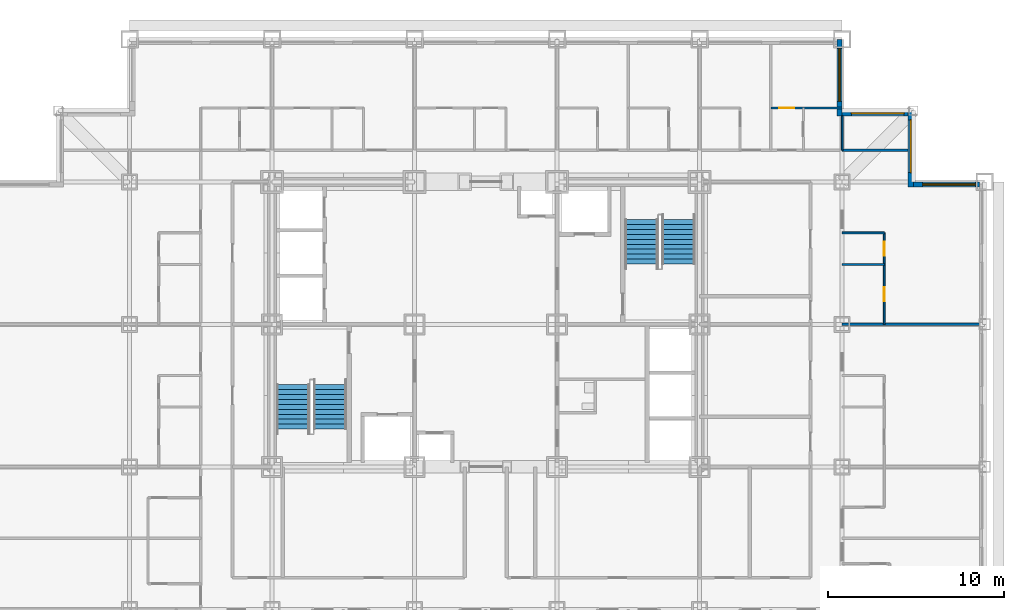
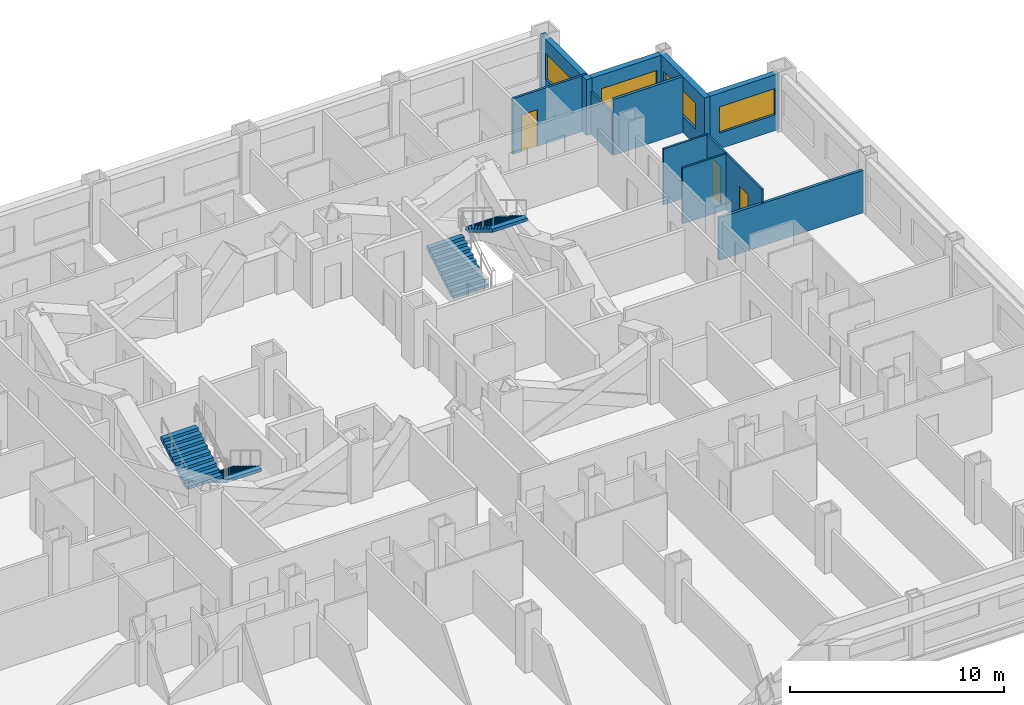
# One storey, part 10 of 12: 11 walls, 4 stair flights, 4 windows, 3 doors, 7 openings, 2 elements without a shape of their own.
"""IFC4 building model written with IfcOpenShell, lengths in metres."""

from ifc_helpers import new_model, si_unit, direction, frame, frame_2d, origin, place, context, subcontext, project, spatial, rectangle, extrude, polygons, source, transform, mapped, material, layer, layer_set, type_object, element, fill, aggregate, save


model = new_model("IFC4")

# Units and contexts
model_context = context("Model", 3, precision=1e-05, world=origin(), true_north=direction((0.0, 1.0)))
body_context = subcontext(model_context, "Body", "Model", "MODEL_VIEW")
ifc_project = project(units=[si_unit("LENGTHUNIT", "METRE"), si_unit("AREAUNIT", "SQUARE_METRE"), si_unit("VOLUMEUNIT", "CUBIC_METRE"), si_unit("PLANEANGLEUNIT", "RADIAN"), si_unit("MASSUNIT", "GRAM", prefix="KILO")], contexts=[model_context])

# Site, building, storey
site_placement = place(None, origin())
site = spatial("IfcSite", under=ifc_project, at=site_placement, CompositionType="ELEMENT")
building_placement = place(site_placement, origin())
building = spatial("IfcBuilding", under=site, at=building_placement, Name="Kopane Lantern Tower", CompositionType="ELEMENT")
storey_placement = place(building_placement, frame((0.0, 0.0, 77.199951171875)))
storey = spatial("IfcBuildingStorey", under=building, at=storey_placement, Name="L19", CompositionType="ELEMENT", Elevation=77.199951171875)

# Wall, opening, door
ifc_material_1 = material(Name="Gypsum board on steel studs", Category="steel")
ifc_layer_1 = layer(ifc_material_1, 0.1201171875)
ifc_layer_set_1 = layer_set([ifc_layer_1], Name="APARTMENT INTERNAL WALL 120")
wall_type_1 = type_object("IfcWallType", Name="APARTMENT INTERNAL WALL 120", PredefinedType="PARTITIONING", material=ifc_layer_set_1)
wall_1_placement = place(storey_placement, frame((44.550048828125, 44.699951171875, 0.0), z_axis=(0.0, 0.0, 1.0), x_axis=(1.0, 0.0, 0.0)))
wall_1 = element("IfcWall", 1, at=wall_1_placement, inside=storey, type_object=wall_type_1, Name="Apartment Internal Wall 120 L19", PredefinedType="PARTITIONING", context=body_context, shape_type="SweptSolid", body=[
    extrude(rectangle(XDim=4.050048828125, YDim=0.1201171875, at=frame_2d((2.02490234375, 0.0))), origin(), (0.0, 0.0, 1.0), 3.18994140625),
])
opening_1_placement = place(wall_1_placement, frame((0.47509765625, 0.0, 0.0)))
opening_1 = element("IfcOpeningElement", 2, at=opening_1_placement, cuts=wall_1, Name="Opening L19-069", PredefinedType="OPENING", context=body_context, shape_type="SweptSolid", body=[
    extrude(rectangle(XDim=0.85009765625, YDim=2.10009765625, at=frame_2d((0.425048828125, 1.050048828125))), frame((0.0, 0.070068359375, 0.0), z_axis=(0.0, -1.0, 0.0), x_axis=(1.0, 0.0, 0.0)), (0.0, 0.0, 1.0), 0.14013671875),
])
ifc_material_2 = material(Name="Timber door set", Category="wood")
door_type_1 = type_object("IfcDoorType", Name="DOOR D4 850x2100", OperationType="SINGLE_SWING_LEFT", PredefinedType="DOOR", material=ifc_material_2)
door_1_placement = place(opening_1_placement, origin())
door_1 = element("IfcDoor", 3, at=door_1_placement, inside=storey, type_object=door_type_1, Name="Door L19-069", OperationType="SINGLE_SWING_LEFT", OverallHeight=2.10009765625, OverallWidth=0.85009765625, PredefinedType="DOOR", context=body_context, shape_type="SweptSolid", body=[
    extrude(rectangle(XDim=0.85009765625, YDim=2.10009765625, at=frame_2d((0.425048828125, 1.050048828125))), frame((0.0, 0.02490234375, 0.0), z_axis=(0.0, -1.0, 0.0), x_axis=(1.0, 0.0, 0.0)), (0.0, 0.0, 1.0), 0.050048828125),
])
fill(opening_1, door_1)

# Wall, openings, doors
ifc_material_3 = material(Name="Moisture-resistant board on steel studs", Category="steel")
ifc_layer_2 = layer(ifc_material_3, 0.10009765625)
ifc_layer_set_2 = layer_set([ifc_layer_2], Name="BATHROOM WALL 100")
wall_type_2 = type_object("IfcWallType", Name="BATHROOM WALL 100", PredefinedType="PARTITIONING", material=ifc_layer_set_2)
wall_2_placement = place(storey_placement, frame((51.0, 32.39990234375, 0.0), z_axis=(0.0, 0.0, 1.0), x_axis=(0.0, 1.0, 0.0)))
wall_2 = element("IfcWall", 4, at=wall_2_placement, inside=storey, type_object=wall_type_2, Name="Bathroom Wall 100 L19", PredefinedType="PARTITIONING", context=body_context, shape_type="SweptSolid", body=[
    extrude(rectangle(XDim=5.2001953125, YDim=0.10009765625, at=frame_2d((2.60009765625, 0.0))), origin(), (0.0, 0.0, 1.0), 3.18994140625),
])
opening_2_placement = place(wall_2_placement, frame((1.300048828125, 0.0, 0.0)))
opening_2 = element("IfcOpeningElement", 5, at=opening_2_placement, cuts=wall_2, Name="Opening L19-056", PredefinedType="OPENING", context=body_context, shape_type="SweptSolid", body=[
    extrude(rectangle(XDim=0.800048828125, YDim=2.10009765625, at=frame_2d((0.39990234375, 1.050048828125))), frame((0.0, 0.06005859375, 0.0), z_axis=(0.0, -1.0, 0.0), x_axis=(1.0, 0.0, 0.0)), (0.0, 0.0, 1.0), 0.1201171875),
])
opening_3_placement = place(wall_2_placement, frame((3.89990234375, 0.0, 0.0)))
opening_3 = element("IfcOpeningElement", 6, at=opening_3_placement, cuts=wall_2, Name="Opening L19-057", PredefinedType="OPENING", context=body_context, shape_type="SweptSolid", body=[
    extrude(rectangle(XDim=0.800048828125, YDim=2.10009765625, at=frame_2d((0.39990234375, 1.050048828125))), frame((0.0, 0.06005859375, 0.0), z_axis=(0.0, -1.0, 0.0), x_axis=(1.0, 0.0, 0.0)), (0.0, 0.0, 1.0), 0.1201171875),
])
ifc_material_4 = material(Name="Timber door set", Category="wood")
door_type_2 = type_object("IfcDoorType", Name="DOOR D2 800x2100", OperationType="SINGLE_SWING_LEFT", PredefinedType="DOOR", material=ifc_material_4)
door_2_placement = place(opening_2_placement, origin())
door_2 = element("IfcDoor", 7, at=door_2_placement, inside=storey, type_object=door_type_2, Name="Door L19-056", OperationType="SINGLE_SWING_RIGHT", OverallHeight=2.10009765625, OverallWidth=0.800048828125, PredefinedType="DOOR", context=body_context, shape_type="SweptSolid", body=[
    extrude(rectangle(XDim=0.800048828125, YDim=2.10009765625, at=frame_2d((0.39990234375, 1.050048828125))), frame((0.0, 0.02490234375, 0.0), z_axis=(0.0, -1.0, 0.0), x_axis=(1.0, 0.0, 0.0)), (0.0, 0.0, 1.0), 0.050048828125),
])
fill(opening_2, door_2)
door_3_placement = place(opening_3_placement, origin())
door_3 = element("IfcDoor", 8, at=door_3_placement, inside=storey, type_object=door_type_2, Name="Door L19-057", OperationType="SINGLE_SWING_RIGHT", OverallHeight=2.10009765625, OverallWidth=0.800048828125, PredefinedType="DOOR", context=body_context, shape_type="SweptSolid", body=[
    extrude(rectangle(XDim=0.800048828125, YDim=2.10009765625, at=frame_2d((0.39990234375, 1.050048828125))), frame((0.0, 0.02490234375, 0.0), z_axis=(0.0, -1.0, 0.0), x_axis=(1.0, 0.0, 0.0)), (0.0, 0.0, 1.0), 0.050048828125),
])
fill(opening_3, door_3)

# Walls
for number, where, z_axis, x_axis, name in (
    (9, (48.60009765625, 35.800048828125, 0.0), (0.0, 0.0, 1.0), (1.0, 0.0, 0.0), "Bathroom Wall 100 L19"),
    (10, (48.60009765625, 37.60009765625, 0.0), (0.0, 0.0, 1.0), (1.0, 0.0, 0.0), "Bathroom Wall 100 L19"),
):
    element("IfcWall", number, at=place(storey_placement, frame(where, z_axis=z_axis, x_axis=x_axis)), inside=storey, type_object=wall_type_2, Name=name, PredefinedType="PARTITIONING", context=body_context, shape_type="SweptSolid", body=[
        extrude(rectangle(XDim=2.39990234375, YDim=0.10009765625, at=frame_2d((1.199951171875, 0.0))), origin(), (0.0, 0.0, 1.0), 3.18994140625),
    ])
wall_3_placement = place(storey_placement, frame((48.60009765625, 42.300048828125, 0.0), z_axis=(0.0, 0.0, 1.0), x_axis=(0.0, 1.0, 0.0)))
element("IfcWall", 11, at=wall_3_placement, inside=storey, type_object=wall_type_2, Name="Bathroom Wall 100 L19", PredefinedType="PARTITIONING", context=body_context, shape_type="SweptSolid", body=[
    extrude(rectangle(XDim=1.949951171875, YDim=0.10009765625, at=frame_2d((0.97509765625, 0.0))), origin(), (0.0, 0.0, 1.0), 2.427734375),
])
ifc_material_5 = material(Name="Gypsum board on steel studs", Category="steel")
ifc_layer_3 = layer(ifc_material_5, 0.14990234375)
ifc_layer_set_3 = layer_set([ifc_layer_3], Name="DEMISING WALL 150 EI 60")
wall_type_3 = type_object("IfcWallType", Name="DEMISING WALL 150 EI 60", PredefinedType="PARTITIONING", material=ifc_layer_set_3)
wall_4_placement = place(storey_placement, frame((48.60009765625, 32.39990234375, 0.0), z_axis=(0.0, 0.0, 1.0), x_axis=(1.0, 0.0, 0.0)))
element("IfcWall", 12, at=wall_4_placement, inside=storey, type_object=wall_type_3, Name="Demising Wall 150 Ei 60 L19", PredefinedType="PARTITIONING", context=body_context, shape_type="SweptSolid", body=[
    extrude(rectangle(XDim=7.7998046875, YDim=0.14990234375, at=frame_2d((3.89990234375, 0.0))), origin(), (0.0, 0.0, 1.0), 2.427734375),
])
wall_5_placement = place(storey_placement, frame((48.60009765625, 42.300048828125, 0.0), z_axis=(0.0, 0.0, 1.0), x_axis=(1.0, 0.0, 0.0)))
element("IfcWall", 13, at=wall_5_placement, inside=storey, type_object=wall_type_3, Name="Demising Wall 150 Ei 60 L19", PredefinedType="PARTITIONING", context=body_context, shape_type="SweptSolid", body=[
    extrude(rectangle(XDim=3.75, YDim=0.14990234375, at=frame_2d((1.875, 0.0))), origin(), (0.0, 0.0, 1.0), 3.18994140625),
])

# Wall, opening, window
ifc_material_6 = material(Name="Terracotta rainscreen on light steel framing", Category="masonry")
ifc_layer_4 = layer(ifc_material_6, 0.300048828125)
ifc_layer_set_4 = layer_set([ifc_layer_4], Name="EXTERNAL WALL EW1 300 TERRACOTTA")
wall_type_4 = type_object("IfcWallType", Name="EXTERNAL WALL EW1 300 TERRACOTTA", PredefinedType="SOLIDWALL", material=ifc_layer_set_4)
wall_6_placement = place(storey_placement, frame((56.39990234375, 40.35009765625, 0.0), z_axis=(0.0, 0.0, 1.0), x_axis=(-1.0, 0.0, 0.0)))
wall_6 = element("IfcWall", 14, at=wall_6_placement, inside=storey, type_object=wall_type_4, Name="External wall N L19", PredefinedType="SOLIDWALL", context=body_context, shape_type="SweptSolid", body=[
    extrude(rectangle(XDim=3.75, YDim=0.300048828125, at=frame_2d((1.875, 0.0))), origin(), (0.0, 0.0, 1.0), 3.18994140625),
])
opening_4_placement = place(wall_6_placement, frame((0.22509765625, 0.0, 0.89990234375)))
opening_4 = element("IfcOpeningElement", 15, at=opening_4_placement, cuts=wall_6, Name="Opening WR300150", PredefinedType="OPENING", context=body_context, shape_type="SweptSolid", body=[
    extrude(rectangle(XDim=3.0, YDim=1.5, at=frame_2d((1.5, 0.75))), frame((0.0, 0.159912109375, 0.0), z_axis=(0.0, -1.0, 0.0), x_axis=(1.0, 0.0, 0.0)), (0.0, 0.0, 1.0), 0.320068359375),
])
ifc_material_7 = material(Name="Aluminium and clear glass", Category="aluminium")
window_type = type_object("IfcWindowType", Name="RIBBON WINDOW WR300150 3000x1500", PartitioningType="SINGLE_PANEL", PredefinedType="WINDOW", material=ifc_material_7)
window_1_placement = place(opening_4_placement, origin())
window_1 = element("IfcWindow", 16, at=window_1_placement, inside=storey, type_object=window_type, Name="Window N L19", OverallHeight=1.5, OverallWidth=3.0, PartitioningType="SINGLE_PANEL", PredefinedType="WINDOW", context=body_context, shape_type="SweptSolid", body=[
    extrude(rectangle(XDim=3.0, YDim=1.5, at=frame_2d((1.5, 0.75))), frame((0.0, 0.030029296875, 0.0), z_axis=(0.0, -1.0, 0.0), x_axis=(1.0, 0.0, 0.0)), (0.0, 0.0, 1.0), 0.06005859375),
])
fill(opening_4, window_1)

wall_7_placement = place(storey_placement, frame((52.5, 40.199951171875, 0.0), z_axis=(0.0, 0.0, 1.0), x_axis=(0.0, 1.0, 0.0)))
wall_7 = element("IfcWall", 17, at=wall_7_placement, inside=storey, type_object=wall_type_4, Name="External wall E L19", PredefinedType="SOLIDWALL", context=body_context, shape_type="SweptSolid", body=[
    extrude(rectangle(XDim=4.35009765625, YDim=0.300048828125, at=frame_2d((2.175048828125, 0.0))), origin(), (0.0, 0.0, 1.0), 3.18994140625),
])
opening_5_placement = place(wall_7_placement, frame((0.824951171875, 0.0, 0.89990234375)))
opening_5 = element("IfcOpeningElement", 18, at=opening_5_placement, cuts=wall_7, Name="Opening WR300150", PredefinedType="OPENING", context=body_context, shape_type="SweptSolid", body=[
    extrude(rectangle(XDim=3.0, YDim=1.5, at=frame_2d((1.5, 0.75))), frame((0.0, 0.159912109375, 0.0), z_axis=(0.0, -1.0, 0.0), x_axis=(1.0, 0.0, 0.0)), (0.0, 0.0, 1.0), 0.320068359375),
])
window_2_placement = place(opening_5_placement, origin())
window_2 = element("IfcWindow", 19, at=window_2_placement, inside=storey, type_object=window_type, Name="Window E L19", OverallHeight=1.5, OverallWidth=3.0, PartitioningType="SINGLE_PANEL", PredefinedType="WINDOW", context=body_context, shape_type="SweptSolid", body=[
    extrude(rectangle(XDim=3.0, YDim=1.5, at=frame_2d((1.5, 0.75))), frame((0.0, 0.030029296875, 0.0), z_axis=(0.0, -1.0, 0.0), x_axis=(1.0, 0.0, 0.0)), (0.0, 0.0, 1.0), 0.06005859375),
])
fill(opening_5, window_2)

wall_8_placement = place(storey_placement, frame((52.35009765625, 44.39990234375, 0.0), z_axis=(0.0, 0.0, 1.0), x_axis=(-1.0, 0.0, 0.0)))
wall_8 = element("IfcWall", 20, at=wall_8_placement, inside=storey, type_object=wall_type_4, Name="External wall N L19", PredefinedType="SOLIDWALL", context=body_context, shape_type="SweptSolid", body=[
    extrude(rectangle(XDim=3.75, YDim=0.300048828125, at=frame_2d((1.875, 0.0))), origin(), (0.0, 0.0, 1.0), 3.18994140625),
])
opening_6_placement = place(wall_8_placement, frame((0.22509765625, 0.0, 0.89990234375)))
opening_6 = element("IfcOpeningElement", 21, at=opening_6_placement, cuts=wall_8, Name="Opening WR300150", PredefinedType="OPENING", context=body_context, shape_type="SweptSolid", body=[
    extrude(rectangle(XDim=3.0, YDim=1.5, at=frame_2d((1.5, 0.75))), frame((0.0, 0.159912109375, 0.0), z_axis=(0.0, -1.0, 0.0), x_axis=(1.0, 0.0, 0.0)), (0.0, 0.0, 1.0), 0.320068359375),
])
window_3_placement = place(opening_6_placement, origin())
window_3 = element("IfcWindow", 22, at=window_3_placement, inside=storey, type_object=window_type, Name="Window N L19", OverallHeight=1.5, OverallWidth=3.0, PartitioningType="SINGLE_PANEL", PredefinedType="WINDOW", context=body_context, shape_type="SweptSolid", body=[
    extrude(rectangle(XDim=3.0, YDim=1.5, at=frame_2d((1.5, 0.75))), frame((0.0, 0.030029296875, 0.0), z_axis=(0.0, -1.0, 0.0), x_axis=(1.0, 0.0, 0.0)), (0.0, 0.0, 1.0), 0.06005859375),
])
fill(opening_6, window_3)

wall_9_placement = place(storey_placement, frame((48.449951171875, 44.25, 0.0), z_axis=(0.0, 0.0, 1.0), x_axis=(0.0, 1.0, 0.0)))
wall_9 = element("IfcWall", 23, at=wall_9_placement, inside=storey, type_object=wall_type_4, Name="External wall E L19", PredefinedType="SOLIDWALL", context=body_context, shape_type="SweptSolid", body=[
    extrude(rectangle(XDim=4.35009765625, YDim=0.300048828125, at=frame_2d((2.175048828125, 0.0))), origin(), (0.0, 0.0, 1.0), 3.18994140625),
])
opening_7_placement = place(wall_9_placement, frame((0.824951171875, 0.0, 0.89990234375)))
opening_7 = element("IfcOpeningElement", 24, at=opening_7_placement, cuts=wall_9, Name="Opening WR300150", PredefinedType="OPENING", context=body_context, shape_type="SweptSolid", body=[
    extrude(rectangle(XDim=3.0, YDim=1.5, at=frame_2d((1.5, 0.75))), frame((0.0, 0.159912109375, 0.0), z_axis=(0.0, -1.0, 0.0), x_axis=(1.0, 0.0, 0.0)), (0.0, 0.0, 1.0), 0.320068359375),
])
window_4_placement = place(opening_7_placement, origin())
window_4 = element("IfcWindow", 25, at=window_4_placement, inside=storey, type_object=window_type, Name="Window E L19", OverallHeight=1.5, OverallWidth=3.0, PartitioningType="SINGLE_PANEL", PredefinedType="WINDOW", context=body_context, shape_type="SweptSolid", body=[
    extrude(rectangle(XDim=3.0, YDim=1.5, at=frame_2d((1.5, 0.75))), frame((0.0, 0.030029296875, 0.0), z_axis=(0.0, -1.0, 0.0), x_axis=(1.0, 0.0, 0.0)), (0.0, 0.0, 1.0), 0.06005859375),
])
fill(opening_7, window_4)

# Stair, stair flights
ifc_material_8 = material(Name="Steel S355JR", Category="steel")
stair_type = type_object("IfcStairType", Name="EXIT STAIR 1900 HALF TURN", PredefinedType="HALF_TURN_STAIR", material=ifc_material_8)
stair_1_placement = place(storey_placement, origin())
stair_1 = element("IfcStair", 26, at=stair_1_placement, inside=storey, type_object=stair_type, Name="Exit stair ST1 L19", PredefinedType="HALF_TURN_STAIR")
ifc_material_9 = material(Name="Steel S355JR", Category="steel")
stair_flight_type = type_object("IfcStairFlightType", Name="STAIR FLIGHT 1900 STEEL", PredefinedType="STRAIGHT", material=ifc_material_9)
shared_shape = source(origin(), body_context, "Body", "Tessellation", [
    polygons([(2.520019531, 0.949951172, 1.530029297), (2.239990234, 0.949951172, 1.530029297), (2.239990234, -0.949951172, 1.530029297), (2.520019531, -0.949951172, 1.530029297), (0.288818359, 0.949951172, 0.0), (2.520019531, 0.949951172, 1.354736328), (2.520019531, -0.949951172, 1.354736328), (0.288818359, -0.949951172, 0.0), (0.0, 0.949951172, 0.0), (0.0, -0.949951172, 0.0), (0.280029297, 0.949951172, 0.169921875), (0.0, 0.949951172, 0.169921875), (0.0, -0.949951172, 0.169921875), (0.280029297, -0.949951172, 0.169921875), (0.280029297, 0.949951172, 0.340087891), (0.280029297, -0.949951172, 0.340087891), (0.560058594, 0.949951172, 0.340087891), (0.560058594, -0.949951172, 0.340087891), (0.560058594, 0.949951172, 0.510009766), (0.560058594, -0.949951172, 0.510009766), (0.840087891, 0.949951172, 0.510009766), (0.840087891, -0.949951172, 0.510009766), (0.840087891, 0.949951172, 0.679931641), (0.840087891, -0.949951172, 0.679931641), (1.120117188, 0.949951172, 0.679931641), (1.120117188, -0.949951172, 0.679931641), (1.120117188, 0.949951172, 0.850097656), (1.120117188, -0.949951172, 0.850097656), (1.399902344, 0.949951172, 0.850097656), (1.399902344, -0.949951172, 0.850097656), (1.399902344, 0.949951172, 1.020019531), (1.399902344, -0.949951172, 1.020019531), (1.679931641, 0.949951172, 1.020019531), (1.679931641, -0.949951172, 1.020019531), (1.679931641, 0.949951172, 1.189941406), (1.679931641, -0.949951172, 1.189941406), (1.959960938, 0.949951172, 1.189941406), (1.959960938, -0.949951172, 1.189941406), (1.959960938, 0.949951172, 1.360107422), (1.959960938, -0.949951172, 1.360107422), (2.239990234, 0.949951172, 1.360107422), (2.239990234, -0.949951172, 1.360107422), (0.0, 0.0, 0.004592483), (0.0, 0.0, 0.009184966), (0.0, 0.0, 0.013777449), (0.0, 0.0, 0.018369932), (0.0, 0.0, 0.022962416), (0.0, 0.0, 0.027554899), (0.0, 0.0, 0.032147382), (0.0, 0.0, 0.036739865), (0.0, 0.0, 0.041332348), (0.0, 0.0, 0.045924831), (0.0, 0.0, 0.050517314), (0.0, 0.0, 0.055109797), (0.0, 0.0, 0.05970228), (0.0, 0.0, 0.064294764), (0.0, 0.0, 0.068887247), (0.0, 0.0, 0.07347973), (0.0, 0.0, 0.078072213), (0.0, 0.0, 0.082664696), (0.0, 0.0, 0.087257179), (0.0, 0.0, 0.091849662), (0.0, 0.0, 0.096442145), (0.0, 0.0, 0.101034628), (0.0, 0.0, 0.105627111), (0.0, 0.0, 0.110219595), (0.0, 0.0, 0.114812078), (0.0, 0.0, 0.119404561), (0.0, 0.0, 0.123997044), (0.0, 0.0, 0.128589527), (0.0, 0.0, 0.13318201), (0.0, 0.0, 0.137774493), (0.0, 0.0, 0.142366976), (0.0, 0.0, 0.146959459), (0.0, 0.0, 0.151551943), (0.0, 0.0, 0.156144426), (0.0, 0.0, 0.160736909), (0.0, 0.0, 0.165329392), (2.520019531, 0.0, 1.359473976), (2.520019531, 0.0, 1.364211624), (2.520019531, 0.0, 1.368949272), (2.520019531, 0.0, 1.373686919), (2.520019531, 0.0, 1.378424567), (2.520019531, 0.0, 1.383162215), (2.520019531, 0.0, 1.387899863), (2.520019531, 0.0, 1.392637511), (2.520019531, 0.0, 1.397375158), (2.520019531, 0.0, 1.402112806), (2.520019531, 0.0, 1.406850454), (2.520019531, 0.0, 1.411588102), (2.520019531, 0.0, 1.41632575), (2.520019531, 0.0, 1.421063397), (2.520019531, 0.0, 1.425801045), (2.520019531, 0.0, 1.430538693), (2.520019531, 0.0, 1.435276341), (2.520019531, 0.0, 1.440013989), (2.520019531, 0.0, 1.444751636), (2.520019531, 0.0, 1.449489284), (2.520019531, 0.0, 1.454226932), (2.520019531, 0.0, 1.45896458), (2.520019531, 0.0, 1.463702228), (2.520019531, 0.0, 1.468439875), (2.520019531, 0.0, 1.473177523), (2.520019531, 0.0, 1.477915171), (2.520019531, 0.0, 1.482652819), (2.520019531, 0.0, 1.487390467), (2.520019531, 0.0, 1.492128114), (2.520019531, 0.0, 1.496865762), (2.520019531, 0.0, 1.50160341), (2.520019531, 0.0, 1.506341058), (2.520019531, 0.0, 1.511078706), (2.520019531, 0.0, 1.515816353), (2.520019531, 0.0, 1.520554001), (2.520019531, 0.0, 1.525291649)], [[[1, 2, 3]], [[1, 3, 4]], [[5, 6, 7]], [[5, 7, 8]], [[9, 5, 8]], [[9, 8, 10]], [[11, 12, 13]], [[11, 13, 14]], [[15, 11, 14]], [[15, 14, 16]], [[17, 15, 16]], [[17, 16, 18]], [[19, 17, 18]], [[19, 18, 20]], [[21, 19, 20]], [[21, 20, 22]], [[23, 21, 22]], [[23, 22, 24]], [[25, 23, 24]], [[25, 24, 26]], [[27, 25, 26]], [[27, 26, 28]], [[29, 27, 28]], [[29, 28, 30]], [[31, 29, 30]], [[31, 30, 32]], [[33, 31, 32]], [[33, 32, 34]], [[35, 33, 34]], [[35, 34, 36]], [[37, 35, 36]], [[37, 36, 38]], [[39, 37, 38]], [[39, 38, 40]], [[41, 39, 40]], [[41, 40, 42]], [[2, 41, 42]], [[2, 42, 3]], [[41, 1, 6]], [[37, 41, 6]], [[2, 1, 41]], [[33, 37, 6]], [[39, 41, 37]], [[35, 37, 33]], [[31, 33, 29]], [[5, 21, 25]], [[27, 29, 25]], [[17, 21, 5]], [[23, 25, 21]], [[11, 17, 5]], [[19, 21, 17]], [[9, 11, 5]], [[15, 17, 11]], [[12, 11, 9]], [[6, 5, 25]], [[6, 25, 29]], [[6, 29, 33]], [[7, 4, 42]], [[7, 42, 38]], [[42, 4, 3]], [[7, 38, 34]], [[38, 42, 40]], [[34, 38, 36]], [[30, 34, 32]], [[26, 22, 8]], [[26, 30, 28]], [[8, 22, 18]], [[22, 26, 24]], [[8, 18, 14]], [[18, 22, 20]], [[8, 14, 10]], [[14, 18, 16]], [[10, 14, 13]], [[26, 8, 7]], [[30, 26, 7]], [[34, 30, 7]], [[10, 43, 9]], [[10, 44, 43]], [[9, 43, 44]], [[10, 45, 44]], [[9, 44, 45]], [[10, 46, 45]], [[9, 45, 46]], [[10, 47, 46]], [[9, 46, 47]], [[10, 48, 47]], [[9, 47, 48]], [[10, 49, 48]], [[9, 48, 49]], [[10, 50, 49]], [[9, 49, 50]], [[10, 51, 50]], [[9, 50, 51]], [[10, 52, 51]], [[9, 51, 52]], [[10, 53, 52]], [[9, 52, 53]], [[10, 54, 53]], [[9, 53, 54]], [[10, 55, 54]], [[9, 54, 55]], [[10, 56, 55]], [[9, 55, 56]], [[10, 57, 56]], [[9, 56, 57]], [[10, 58, 57]], [[9, 57, 58]], [[10, 59, 58]], [[9, 58, 59]], [[10, 60, 59]], [[9, 59, 60]], [[10, 61, 60]], [[9, 60, 61]], [[10, 62, 61]], [[9, 61, 62]], [[10, 63, 62]], [[9, 62, 63]], [[10, 64, 63]], [[9, 63, 64]], [[10, 65, 64]], [[9, 64, 65]], [[10, 66, 65]], [[9, 65, 66]], [[10, 67, 66]], [[9, 66, 67]], [[10, 68, 67]], [[9, 67, 68]], [[10, 69, 68]], [[9, 68, 69]], [[10, 70, 69]], [[9, 69, 70]], [[10, 71, 70]], [[9, 70, 71]], [[10, 72, 71]], [[9, 71, 72]], [[10, 73, 72]], [[9, 72, 73]], [[10, 74, 73]], [[9, 73, 74]], [[10, 75, 74]], [[9, 74, 75]], [[10, 76, 75]], [[9, 75, 76]], [[10, 77, 76]], [[9, 76, 77]], [[10, 78, 77]], [[9, 77, 78]], [[10, 13, 78]], [[78, 13, 12]], [[9, 78, 12]], [[7, 6, 79]], [[7, 79, 80]], [[6, 80, 79]], [[7, 80, 81]], [[6, 81, 80]], [[7, 81, 82]], [[6, 82, 81]], [[7, 82, 83]], [[6, 83, 82]], [[7, 83, 84]], [[6, 84, 83]], [[7, 84, 85]], [[6, 85, 84]], [[7, 85, 86]], [[6, 86, 85]], [[7, 86, 87]], [[6, 87, 86]], [[7, 87, 88]], [[6, 88, 87]], [[7, 88, 89]], [[6, 89, 88]], [[7, 89, 90]], [[6, 90, 89]], [[7, 90, 91]], [[6, 91, 90]], [[7, 91, 92]], [[6, 92, 91]], [[7, 92, 93]], [[6, 93, 92]], [[7, 93, 94]], [[6, 94, 93]], [[7, 94, 95]], [[6, 95, 94]], [[7, 95, 96]], [[6, 96, 95]], [[7, 96, 97]], [[6, 97, 96]], [[7, 97, 98]], [[6, 98, 97]], [[7, 98, 99]], [[6, 99, 98]], [[7, 99, 100]], [[6, 100, 99]], [[7, 100, 101]], [[6, 101, 100]], [[7, 101, 102]], [[6, 102, 101]], [[7, 102, 103]], [[6, 103, 102]], [[7, 103, 104]], [[6, 104, 103]], [[7, 104, 105]], [[6, 105, 104]], [[7, 105, 106]], [[6, 106, 105]], [[7, 106, 107]], [[6, 107, 106]], [[7, 107, 108]], [[6, 108, 107]], [[7, 108, 109]], [[6, 109, 108]], [[7, 109, 110]], [[6, 110, 109]], [[7, 110, 111]], [[6, 111, 110]], [[7, 111, 112]], [[6, 112, 111]], [[7, 112, 113]], [[6, 113, 112]], [[7, 113, 114]], [[6, 114, 113]], [[7, 114, 4]], [[114, 1, 4]], [[6, 1, 114]]], closed=True),
])
stair_flight_1_placement = place(storey_placement, frame((19.5, 28.969970703125, 0.0), z_axis=(0.0, 0.0, 1.0), x_axis=(0.0, -1.0, 0.0)))
stair_flight_1 = element("IfcStairFlight", 27, at=stair_flight_1_placement, type_object=stair_flight_type, Name="ST1 flight 1", NumberOfRisers=10, NumberOfTreads=9, PredefinedType="STRAIGHT", RiserHeight=0.17, TreadLength=0.28, context=body_context, shape_type="MappedRepresentation", body=[
    mapped(shared_shape, transform((0.0, 0.0, 0.0))),
])
stair_flight_2_placement = place(storey_placement, frame((17.39990234375, 26.449951171875, 1.699951171875), z_axis=(0.0, 0.0, 1.0), x_axis=(0.0, 1.0, 0.0)))
stair_flight_2 = element("IfcStairFlight", 28, at=stair_flight_2_placement, type_object=stair_flight_type, Name="ST1 flight 2", NumberOfRisers=10, NumberOfTreads=9, PredefinedType="STRAIGHT", RiserHeight=0.17, TreadLength=0.28, context=body_context, shape_type="MappedRepresentation", body=[
    mapped(shared_shape, transform((0.0, 0.0, 0.0))),
])
aggregate(stair_1, [stair_flight_1, stair_flight_2])

stair_2_placement = place(storey_placement, origin())
stair_2 = element("IfcStair", 29, at=stair_2_placement, inside=storey, type_object=stair_type, Name="Exit stair ST2 L19", PredefinedType="HALF_TURN_STAIR")
stair_flight_3_placement = place(storey_placement, frame((37.199951171875, 35.830078125, 0.0), z_axis=(0.0, 0.0, 1.0), x_axis=(0.0, 1.0, 0.0)))
stair_flight_3 = element("IfcStairFlight", 30, at=stair_flight_3_placement, type_object=stair_flight_type, Name="ST2 flight 1", NumberOfRisers=10, NumberOfTreads=9, PredefinedType="STRAIGHT", RiserHeight=0.17, TreadLength=0.28, context=body_context, shape_type="MappedRepresentation", body=[
    mapped(shared_shape, transform((0.0, 0.0, 0.0))),
])
stair_flight_4_placement = place(storey_placement, frame((39.300048828125, 38.35009765625, 1.699951171875), z_axis=(0.0, 0.0, 1.0), x_axis=(0.0, -1.0, 0.0)))
stair_flight_4 = element("IfcStairFlight", 31, at=stair_flight_4_placement, type_object=stair_flight_type, Name="ST2 flight 2", NumberOfRisers=10, NumberOfTreads=9, PredefinedType="STRAIGHT", RiserHeight=0.17, TreadLength=0.28, context=body_context, shape_type="MappedRepresentation", body=[
    mapped(shared_shape, transform((0.0, 0.0, 0.0))),
])
aggregate(stair_2, [stair_flight_3, stair_flight_4])

save(model, "model.ifc")
